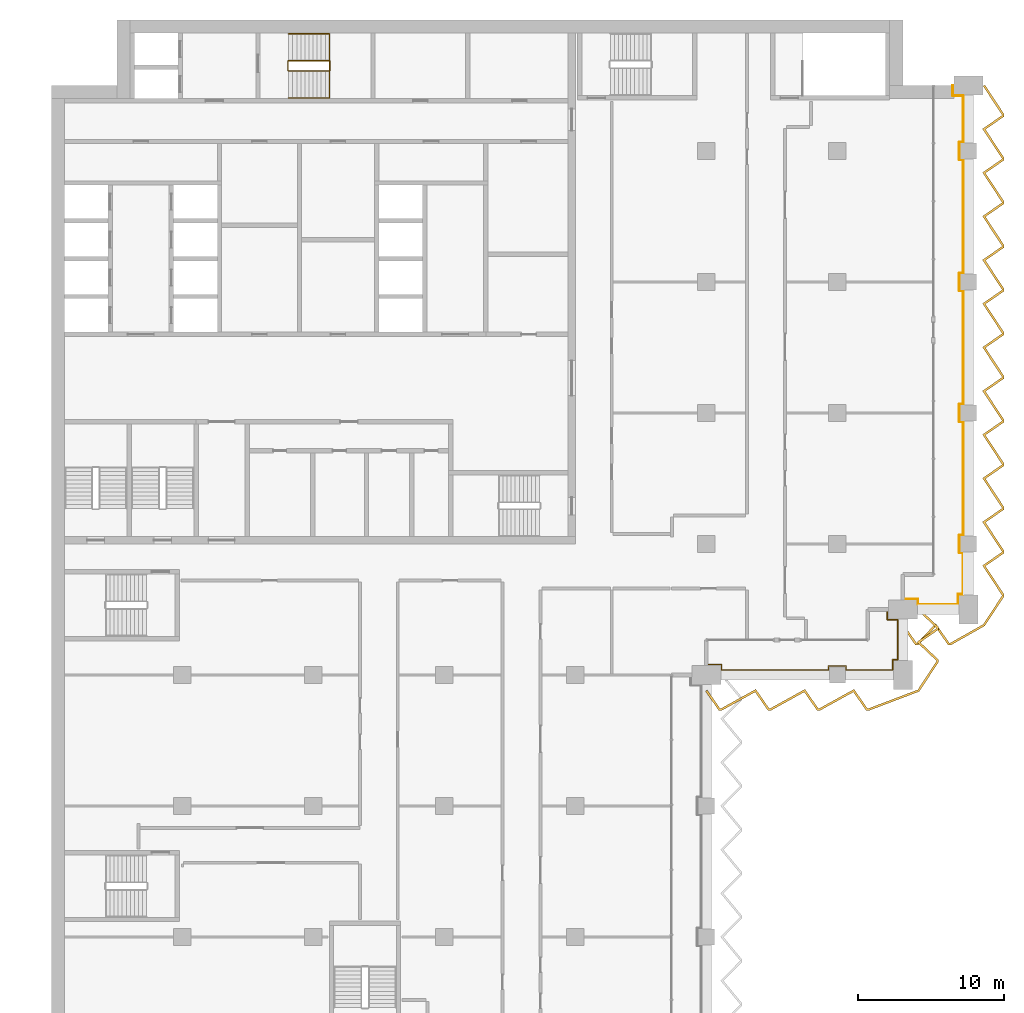
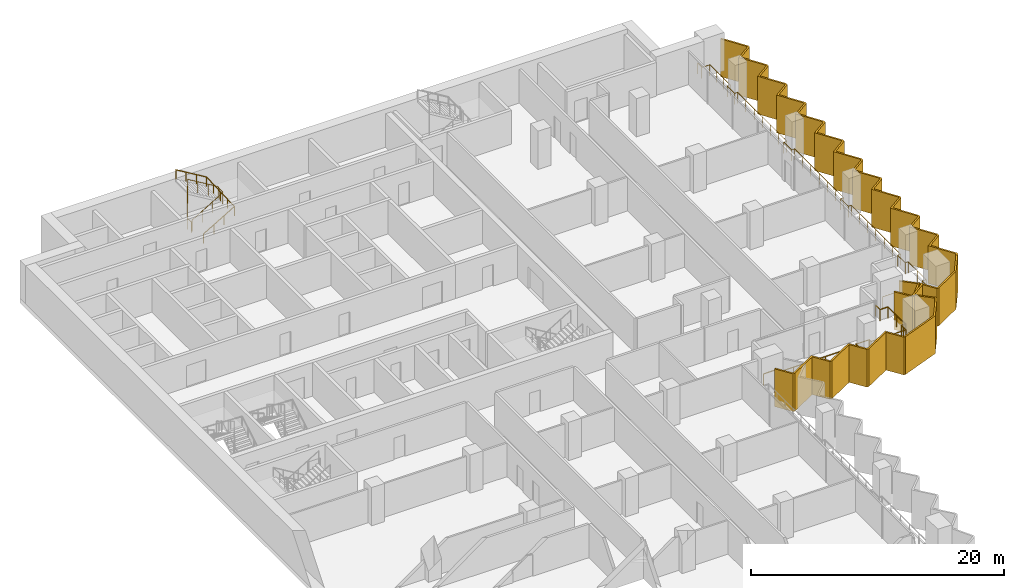
# One storey, part 21 of 22: 4 railings, 2 shading devices.
"""IFC4 building model written with IfcOpenShell, lengths in metres."""

from ifc_helpers import new_model, si_unit, direction, frame, origin, origin_2d, place, context, subcontext, project, spatial, polyline, circle, outline, extrude, material, layer, layer_set, type_object, element, save


model = new_model("IFC4")

# Units and contexts
model_context = context("Model", 3, precision=1e-05, world=origin(), true_north=direction((0.0, 1.0)))
body_context = subcontext(model_context, "Body", "Model", "MODEL_VIEW")
ifc_project = project(units=[si_unit("LENGTHUNIT", "METRE"), si_unit("AREAUNIT", "SQUARE_METRE"), si_unit("VOLUMEUNIT", "CUBIC_METRE"), si_unit("PLANEANGLEUNIT", "RADIAN"), si_unit("MASSUNIT", "GRAM", prefix="KILO")], contexts=[model_context])

# Site, building, storey
site_placement = place(None, origin())
site = spatial("IfcSite", under=ifc_project, at=site_placement, CompositionType="ELEMENT")
building_placement = place(site_placement, origin())
building = spatial("IfcBuilding", under=site, at=building_placement, Name="Hunhe Ridgeline Campus", CompositionType="ELEMENT")
storey_placement = place(building_placement, frame((0.0, 0.0, 174.5)))
storey = spatial("IfcBuildingStorey", under=building, at=storey_placement, Name="L44", CompositionType="ELEMENT", Elevation=174.5)

# Railings
ifc_material_1 = material(Name="Steel Q355", Category="steel")
railing_type_1 = type_object("IfcRailingType", Name="Loggia guard 1100 Steel Q355", PredefinedType="GUARDRAIL", material=ifc_material_1)
railing_1_placement = place(storey_placement, frame((45.0, 54.719970703125, 0.0)))
element("IfcRailing", 1, at=railing_1_placement, inside=storey, type_object=railing_type_1, Name="Loggia guard 2", PredefinedType="GUARDRAIL", context=body_context, shape_type="SweptSolid", body=[
    extrude(circle(Radius=0.02392578125, at=origin_2d()), frame((0.0, 0.0, 1.076171875), z_axis=(1.0, 0.0, 0.0), x_axis=(0.0, 1.0, 0.0)), (0.0, 0.0, 1.0), 1.050048828125),
    extrude(circle(Radius=0.02392578125, at=origin_2d()), frame((1.050048828125, 0.0, 1.076171875), z_axis=(0.0, -1.0, 0.0), x_axis=(1.0, 0.0, 0.0)), (0.0, 0.0, 1.0), 0.369873046875),
    extrude(circle(Radius=0.02392578125, at=origin_2d()), frame((1.050048828125, -0.369873046875, 1.076171875), z_axis=(1.0, 0.0, 0.0), x_axis=(0.0, 1.0, 0.0)), (0.0, 0.0, 1.0), 7.349853515625),
    extrude(circle(Radius=0.02392578125, at=origin_2d()), frame((8.39990234375, -0.369873046875, 1.076171875), z_axis=(0.0, 1.0, 0.0), x_axis=(-1.0, 0.0, 0.0)), (0.0, 0.0, 1.0), 0.27001953125),
    extrude(circle(Radius=0.02392578125, at=origin_2d()), frame((8.39990234375, -0.099853515625, 1.076171875), z_axis=(1.0, 0.0, 0.0), x_axis=(0.0, 1.0, 0.0)), (0.0, 0.0, 1.0), 1.2001953125),
    extrude(circle(Radius=0.02392578125, at=origin_2d()), frame((9.60009765625, -0.099853515625, 1.076171875), z_axis=(0.0, -1.0, 0.0), x_axis=(1.0, 0.0, 0.0)), (0.0, 0.0, 1.0), 0.27001953125),
    extrude(circle(Radius=0.02392578125, at=origin_2d()), frame((9.60009765625, -0.369873046875, 1.076171875), z_axis=(1.0, 0.0, 0.0), x_axis=(0.0, 1.0, 0.0)), (0.0, 0.0, 1.0), 3.199951171875),
    extrude(circle(Radius=0.02392578125, at=origin_2d()), frame((12.800048828125, -0.369873046875, 1.076171875), z_axis=(0.0, 1.0, 0.0), x_axis=(-1.0, 0.0, 0.0)), (0.0, 0.0, 1.0), 0.719970703125),
    extrude(circle(Radius=0.02392578125, at=origin_2d()), frame((12.800048828125, 0.35009765625, 1.076171875), z_axis=(-0.057089444596, -0.998369067688, 0.0), x_axis=(0.998369067688, -0.057089444596, 0.0)), (0.0, 0.0, 1.0), 0.3505859375),
    extrude(circle(Radius=0.02392578125, at=origin_2d()), frame((12.780029296875, 0.0, 1.076171875), z_axis=(0.0, 1.0, 0.0), x_axis=(-1.0, 0.0, 0.0)), (0.0, 0.0, 1.0), 0.330078125),
    extrude(circle(Radius=0.02392578125, at=origin_2d()), frame((12.780029296875, 0.330078125, 1.076171875), z_axis=(1.0, 0.0, 0.0), x_axis=(0.0, 1.0, 0.0)), (0.0, 0.0, 1.0), 0.369873046875),
    extrude(circle(Radius=0.02392578125, at=origin_2d()), frame((13.14990234375, 0.330078125, 1.076171875), z_axis=(0.0, 1.0, 0.0), x_axis=(-1.0, 0.0, 0.0)), (0.0, 0.0, 1.0), 2.75),
    extrude(circle(Radius=0.02392578125, at=origin_2d()), frame((13.14990234375, 3.080078125, 1.076171875), z_axis=(-1.0, 0.0, 0.0), x_axis=(0.0, -1.0, 0.0)), (0.0, 0.0, 1.0), 0.719970703125),
    extrude(circle(Radius=0.02392578125, at=origin_2d()), frame((12.429931640625, 3.080078125, 1.076171875), z_axis=(0.0, 1.0, 0.0), x_axis=(-1.0, 0.0, 0.0)), (0.0, 0.0, 1.0), 0.699951171875),
    extrude(circle(Radius=0.02099609375, at=origin_2d()), origin(), (0.0, 0.0, 1.0), 1.052001953125),
    extrude(circle(Radius=0.02099609375, at=origin_2d()), frame((1.050048828125, 0.0, 0.0)), (0.0, 0.0, 1.0), 1.052001953125),
    extrude(circle(Radius=0.02099609375, at=origin_2d()), frame((1.050048828125, -0.369873046875, 0.0)), (0.0, 0.0, 1.0), 1.052001953125),
    extrude(circle(Radius=0.02099609375, at=origin_2d()), frame((2.52001953125, -0.369873046875, 0.0)), (0.0, 0.0, 1.0), 1.052001953125),
    extrude(circle(Radius=0.02099609375, at=origin_2d()), frame((3.989990234375, -0.369873046875, 0.0)), (0.0, 0.0, 1.0), 1.052001953125),
    extrude(circle(Radius=0.02099609375, at=origin_2d()), frame((5.4599609375, -0.369873046875, 0.0)), (0.0, 0.0, 1.0), 1.052001953125),
    extrude(circle(Radius=0.02099609375, at=origin_2d()), frame((6.929931640625, -0.369873046875, 0.0)), (0.0, 0.0, 1.0), 1.052001953125),
    extrude(circle(Radius=0.02099609375, at=origin_2d()), frame((8.39990234375, -0.369873046875, 0.0)), (0.0, 0.0, 1.0), 1.052001953125),
    extrude(circle(Radius=0.02099609375, at=origin_2d()), frame((8.39990234375, -0.099853515625, 0.0)), (0.0, 0.0, 1.0), 1.052001953125),
    extrude(circle(Radius=0.02099609375, at=origin_2d()), frame((9.60009765625, -0.099853515625, 0.0)), (0.0, 0.0, 1.0), 1.052001953125),
    extrude(circle(Radius=0.02099609375, at=origin_2d()), frame((9.60009765625, -0.369873046875, 0.0)), (0.0, 0.0, 1.0), 1.052001953125),
    extrude(circle(Radius=0.02099609375, at=origin_2d()), frame((10.666748046875, -0.369873046875, 0.0)), (0.0, 0.0, 1.0), 1.052001953125),
    extrude(circle(Radius=0.02099609375, at=origin_2d()), frame((11.7333984375, -0.369873046875, 0.0)), (0.0, 0.0, 1.0), 1.052001953125),
    extrude(circle(Radius=0.02099609375, at=origin_2d()), frame((12.800048828125, -0.369873046875, 0.0)), (0.0, 0.0, 1.0), 1.052001953125),
    extrude(circle(Radius=0.02099609375, at=origin_2d()), frame((12.800048828125, 0.35009765625, 0.0)), (0.0, 0.0, 1.0), 1.052001953125),
    extrude(circle(Radius=0.02099609375, at=origin_2d()), frame((12.780029296875, 0.0, 0.0)), (0.0, 0.0, 1.0), 1.052001953125),
    extrude(circle(Radius=0.02099609375, at=origin_2d()), frame((12.780029296875, 0.330078125, 0.0)), (0.0, 0.0, 1.0), 1.052001953125),
    extrude(circle(Radius=0.02099609375, at=origin_2d()), frame((13.14990234375, 0.330078125, 0.0)), (0.0, 0.0, 1.0), 1.052001953125),
    extrude(circle(Radius=0.02099609375, at=origin_2d()), frame((13.14990234375, 1.705078125, 0.0)), (0.0, 0.0, 1.0), 1.052001953125),
    extrude(circle(Radius=0.02099609375, at=origin_2d()), frame((13.14990234375, 3.080078125, 0.0)), (0.0, 0.0, 1.0), 1.052001953125),
    extrude(circle(Radius=0.02099609375, at=origin_2d()), frame((12.429931640625, 3.080078125, 0.0)), (0.0, 0.0, 1.0), 1.052001953125),
    extrude(circle(Radius=0.02099609375, at=origin_2d()), frame((12.429931640625, 3.780029296875, 0.0)), (0.0, 0.0, 1.0), 1.052001953125),
])
railing_2_placement = place(storey_placement, frame((58.5, 59.219970703125, 0.0)))
element("IfcRailing", 2, at=railing_2_placement, inside=storey, type_object=railing_type_1, Name="Loggia guard 3", PredefinedType="GUARDRAIL", context=body_context, shape_type="SweptSolid", body=[
    extrude(circle(Radius=0.02392578125, at=origin_2d()), frame((0.0, 0.0, 1.076171875), z_axis=(1.0, 0.0, 0.0), x_axis=(0.0, 1.0, 0.0)), (0.0, 0.0, 1.0), 1.050048828125),
    extrude(circle(Radius=0.02392578125, at=origin_2d()), frame((1.050048828125, 0.0, 1.076171875), z_axis=(0.0, -1.0, 0.0), x_axis=(1.0, 0.0, 0.0)), (0.0, 0.0, 1.0), 0.369873046875),
    extrude(circle(Radius=0.02392578125, at=origin_2d()), frame((1.050048828125, -0.369873046875, 1.076171875), z_axis=(1.0, 0.0, 0.0), x_axis=(0.0, 1.0, 0.0)), (0.0, 0.0, 1.0), 2.75),
    extrude(circle(Radius=0.02392578125, at=origin_2d()), frame((3.800048828125, -0.369873046875, 1.076171875), z_axis=(0.0, 1.0, 0.0), x_axis=(-1.0, 0.0, 0.0)), (0.0, 0.0, 1.0), 0.719970703125),
    extrude(circle(Radius=0.02392578125, at=origin_2d()), frame((3.800048828125, 0.35009765625, 1.076171875), z_axis=(-0.057089444596, -0.998369067688, 0.0), x_axis=(0.998369067688, -0.057089444596, 0.0)), (0.0, 0.0, 1.0), 0.3505859375),
    extrude(circle(Radius=0.02392578125, at=origin_2d()), frame((3.780029296875, 0.0, 1.076171875), z_axis=(0.0, 1.0, 0.0), x_axis=(-1.0, 0.0, 0.0)), (0.0, 0.0, 1.0), 0.330078125),
    extrude(circle(Radius=0.02392578125, at=origin_2d()), frame((3.780029296875, 0.330078125, 1.076171875), z_axis=(1.0, 0.0, 0.0), x_axis=(0.0, 1.0, 0.0)), (0.0, 0.0, 1.0), 0.369873046875),
    extrude(circle(Radius=0.02392578125, at=origin_2d()), frame((4.14990234375, 0.330078125, 1.076171875), z_axis=(0.0, 1.0, 0.0), x_axis=(-1.0, 0.0, 0.0)), (0.0, 0.0, 1.0), 2.849853515625),
    extrude(circle(Radius=0.02392578125, at=origin_2d()), frame((4.14990234375, 3.179931640625, 1.076171875), z_axis=(-1.0, 0.0, 0.0), x_axis=(0.0, -1.0, 0.0)), (0.0, 0.0, 1.0), 0.27001953125),
    extrude(circle(Radius=0.02392578125, at=origin_2d()), frame((3.8798828125, 3.179931640625, 1.076171875), z_axis=(0.0, 1.0, 0.0), x_axis=(-1.0, 0.0, 0.0)), (0.0, 0.0, 1.0), 1.2001953125),
    extrude(circle(Radius=0.02392578125, at=origin_2d()), frame((3.8798828125, 4.380126953125, 1.076171875), z_axis=(1.0, 0.0, 0.0), x_axis=(0.0, 1.0, 0.0)), (0.0, 0.0, 1.0), 0.27001953125),
    extrude(circle(Radius=0.02392578125, at=origin_2d()), frame((4.14990234375, 4.380126953125, 1.076171875), z_axis=(0.0, 1.0, 0.0), x_axis=(-1.0, 0.0, 0.0)), (0.0, 0.0, 1.0), 7.7998046875),
    extrude(circle(Radius=0.02392578125, at=origin_2d()), frame((4.14990234375, 12.179931640625, 1.076171875), z_axis=(-1.0, 0.0, 0.0), x_axis=(0.0, -1.0, 0.0)), (0.0, 0.0, 1.0), 0.27001953125),
    extrude(circle(Radius=0.02392578125, at=origin_2d()), frame((3.8798828125, 12.179931640625, 1.076171875), z_axis=(0.0, 1.0, 0.0), x_axis=(-1.0, 0.0, 0.0)), (0.0, 0.0, 1.0), 1.2001953125),
    extrude(circle(Radius=0.02392578125, at=origin_2d()), frame((3.8798828125, 13.380126953125, 1.076171875), z_axis=(1.0, 0.0, 0.0), x_axis=(0.0, 1.0, 0.0)), (0.0, 0.0, 1.0), 0.27001953125),
    extrude(circle(Radius=0.02392578125, at=origin_2d()), frame((4.14990234375, 13.380126953125, 1.076171875), z_axis=(0.0, 1.0, 0.0), x_axis=(-1.0, 0.0, 0.0)), (0.0, 0.0, 1.0), 7.7998046875),
    extrude(circle(Radius=0.02392578125, at=origin_2d()), frame((4.14990234375, 21.179931640625, 1.076171875), z_axis=(-1.0, 0.0, 0.0), x_axis=(0.0, -1.0, 0.0)), (0.0, 0.0, 1.0), 0.27001953125),
    extrude(circle(Radius=0.02392578125, at=origin_2d()), frame((3.8798828125, 21.179931640625, 1.076171875), z_axis=(0.0, 1.0, 0.0), x_axis=(-1.0, 0.0, 0.0)), (0.0, 0.0, 1.0), 1.2001953125),
    extrude(circle(Radius=0.02392578125, at=origin_2d()), frame((3.8798828125, 22.380126953125, 1.076171875), z_axis=(1.0, 0.0, 0.0), x_axis=(0.0, 1.0, 0.0)), (0.0, 0.0, 1.0), 0.27001953125),
    extrude(circle(Radius=0.02392578125, at=origin_2d()), frame((4.14990234375, 22.380126953125, 1.076171875), z_axis=(0.0, 1.0, 0.0), x_axis=(-1.0, 0.0, 0.0)), (0.0, 0.0, 1.0), 7.7998046875),
    extrude(circle(Radius=0.02392578125, at=origin_2d()), frame((4.14990234375, 30.179931640625, 1.076171875), z_axis=(-1.0, 0.0, 0.0), x_axis=(0.0, -1.0, 0.0)), (0.0, 0.0, 1.0), 0.27001953125),
    extrude(circle(Radius=0.02392578125, at=origin_2d()), frame((3.8798828125, 30.179931640625, 1.076171875), z_axis=(0.0, 1.0, 0.0), x_axis=(-1.0, 0.0, 0.0)), (0.0, 0.0, 1.0), 1.2001953125),
    extrude(circle(Radius=0.02392578125, at=origin_2d()), frame((3.8798828125, 31.380126953125, 1.076171875), z_axis=(1.0, 0.0, 0.0), x_axis=(0.0, 1.0, 0.0)), (0.0, 0.0, 1.0), 0.27001953125),
    extrude(circle(Radius=0.02392578125, at=origin_2d()), frame((4.14990234375, 31.380126953125, 1.076171875), z_axis=(0.0, 1.0, 0.0), x_axis=(-1.0, 0.0, 0.0)), (0.0, 0.0, 1.0), 3.199951171875),
    extrude(circle(Radius=0.02392578125, at=origin_2d()), frame((4.14990234375, 34.580078125, 1.076171875), z_axis=(-1.0, 0.0, 0.0), x_axis=(0.0, -1.0, 0.0)), (0.0, 0.0, 1.0), 0.719970703125),
    extrude(circle(Radius=0.02392578125, at=origin_2d()), frame((3.429931640625, 34.580078125, 1.076171875), z_axis=(0.0, 1.0, 0.0), x_axis=(-1.0, 0.0, 0.0)), (0.0, 0.0, 1.0), 0.699951171875),
    extrude(circle(Radius=0.02099609375, at=origin_2d()), origin(), (0.0, 0.0, 1.0), 1.052001953125),
    extrude(circle(Radius=0.02099609375, at=origin_2d()), frame((1.050048828125, 0.0, 0.0)), (0.0, 0.0, 1.0), 1.052001953125),
    extrude(circle(Radius=0.02099609375, at=origin_2d()), frame((1.050048828125, -0.369873046875, 0.0)), (0.0, 0.0, 1.0), 1.052001953125),
    extrude(circle(Radius=0.02099609375, at=origin_2d()), frame((2.425048828125, -0.369873046875, 0.0)), (0.0, 0.0, 1.0), 1.052001953125),
    extrude(circle(Radius=0.02099609375, at=origin_2d()), frame((3.800048828125, -0.369873046875, 0.0)), (0.0, 0.0, 1.0), 1.052001953125),
    extrude(circle(Radius=0.02099609375, at=origin_2d()), frame((3.800048828125, 0.35009765625, 0.0)), (0.0, 0.0, 1.0), 1.052001953125),
    extrude(circle(Radius=0.02099609375, at=origin_2d()), frame((3.780029296875, 0.0, 0.0)), (0.0, 0.0, 1.0), 1.052001953125),
    extrude(circle(Radius=0.02099609375, at=origin_2d()), frame((3.780029296875, 0.330078125, 0.0)), (0.0, 0.0, 1.0), 1.052001953125),
    extrude(circle(Radius=0.02099609375, at=origin_2d()), frame((4.14990234375, 0.330078125, 0.0)), (0.0, 0.0, 1.0), 1.052001953125),
    extrude(circle(Radius=0.02099609375, at=origin_2d()), frame((4.14990234375, 1.7548828125, 0.0)), (0.0, 0.0, 1.0), 1.052001953125),
    extrude(circle(Radius=0.02099609375, at=origin_2d()), frame((4.14990234375, 3.179931640625, 0.0)), (0.0, 0.0, 1.0), 1.052001953125),
    extrude(circle(Radius=0.02099609375, at=origin_2d()), frame((3.8798828125, 3.179931640625, 0.0)), (0.0, 0.0, 1.0), 1.052001953125),
    extrude(circle(Radius=0.02099609375, at=origin_2d()), frame((3.8798828125, 4.380126953125, 0.0)), (0.0, 0.0, 1.0), 1.052001953125),
    extrude(circle(Radius=0.02099609375, at=origin_2d()), frame((4.14990234375, 4.380126953125, 0.0)), (0.0, 0.0, 1.0), 1.052001953125),
    extrude(circle(Radius=0.02099609375, at=origin_2d()), frame((4.14990234375, 5.68017578125, 0.0)), (0.0, 0.0, 1.0), 1.052001953125),
    extrude(circle(Radius=0.02099609375, at=origin_2d()), frame((4.14990234375, 6.97998046875, 0.0)), (0.0, 0.0, 1.0), 1.052001953125),
    extrude(circle(Radius=0.02099609375, at=origin_2d()), frame((4.14990234375, 8.280029296875, 0.0)), (0.0, 0.0, 1.0), 1.052001953125),
    extrude(circle(Radius=0.02099609375, at=origin_2d()), frame((4.14990234375, 9.580078125, 0.0)), (0.0, 0.0, 1.0), 1.052001953125),
    extrude(circle(Radius=0.02099609375, at=origin_2d()), frame((4.14990234375, 10.8798828125, 0.0)), (0.0, 0.0, 1.0), 1.052001953125),
    extrude(circle(Radius=0.02099609375, at=origin_2d()), frame((4.14990234375, 12.179931640625, 0.0)), (0.0, 0.0, 1.0), 1.052001953125),
    extrude(circle(Radius=0.02099609375, at=origin_2d()), frame((3.8798828125, 12.179931640625, 0.0)), (0.0, 0.0, 1.0), 1.052001953125),
    extrude(circle(Radius=0.02099609375, at=origin_2d()), frame((3.8798828125, 13.380126953125, 0.0)), (0.0, 0.0, 1.0), 1.052001953125),
    extrude(circle(Radius=0.02099609375, at=origin_2d()), frame((4.14990234375, 13.380126953125, 0.0)), (0.0, 0.0, 1.0), 1.052001953125),
    extrude(circle(Radius=0.02099609375, at=origin_2d()), frame((4.14990234375, 14.68017578125, 0.0)), (0.0, 0.0, 1.0), 1.052001953125),
    extrude(circle(Radius=0.02099609375, at=origin_2d()), frame((4.14990234375, 15.97998046875, 0.0)), (0.0, 0.0, 1.0), 1.052001953125),
    extrude(circle(Radius=0.02099609375, at=origin_2d()), frame((4.14990234375, 17.280029296875, 0.0)), (0.0, 0.0, 1.0), 1.052001953125),
    extrude(circle(Radius=0.02099609375, at=origin_2d()), frame((4.14990234375, 18.580078125, 0.0)), (0.0, 0.0, 1.0), 1.052001953125),
    extrude(circle(Radius=0.02099609375, at=origin_2d()), frame((4.14990234375, 19.8798828125, 0.0)), (0.0, 0.0, 1.0), 1.052001953125),
    extrude(circle(Radius=0.02099609375, at=origin_2d()), frame((4.14990234375, 21.179931640625, 0.0)), (0.0, 0.0, 1.0), 1.052001953125),
    extrude(circle(Radius=0.02099609375, at=origin_2d()), frame((3.8798828125, 21.179931640625, 0.0)), (0.0, 0.0, 1.0), 1.052001953125),
    extrude(circle(Radius=0.02099609375, at=origin_2d()), frame((3.8798828125, 22.380126953125, 0.0)), (0.0, 0.0, 1.0), 1.052001953125),
    extrude(circle(Radius=0.02099609375, at=origin_2d()), frame((4.14990234375, 22.380126953125, 0.0)), (0.0, 0.0, 1.0), 1.052001953125),
    extrude(circle(Radius=0.02099609375, at=origin_2d()), frame((4.14990234375, 23.68017578125, 0.0)), (0.0, 0.0, 1.0), 1.052001953125),
    extrude(circle(Radius=0.02099609375, at=origin_2d()), frame((4.14990234375, 24.97998046875, 0.0)), (0.0, 0.0, 1.0), 1.052001953125),
    extrude(circle(Radius=0.02099609375, at=origin_2d()), frame((4.14990234375, 26.280029296875, 0.0)), (0.0, 0.0, 1.0), 1.052001953125),
    extrude(circle(Radius=0.02099609375, at=origin_2d()), frame((4.14990234375, 27.580078125, 0.0)), (0.0, 0.0, 1.0), 1.052001953125),
    extrude(circle(Radius=0.02099609375, at=origin_2d()), frame((4.14990234375, 28.8798828125, 0.0)), (0.0, 0.0, 1.0), 1.052001953125),
    extrude(circle(Radius=0.02099609375, at=origin_2d()), frame((4.14990234375, 30.179931640625, 0.0)), (0.0, 0.0, 1.0), 1.052001953125),
    extrude(circle(Radius=0.02099609375, at=origin_2d()), frame((3.8798828125, 30.179931640625, 0.0)), (0.0, 0.0, 1.0), 1.052001953125),
    extrude(circle(Radius=0.02099609375, at=origin_2d()), frame((3.8798828125, 31.380126953125, 0.0)), (0.0, 0.0, 1.0), 1.052001953125),
    extrude(circle(Radius=0.02099609375, at=origin_2d()), frame((4.14990234375, 31.380126953125, 0.0)), (0.0, 0.0, 1.0), 1.052001953125),
    extrude(circle(Radius=0.02099609375, at=origin_2d()), frame((4.14990234375, 32.44677734375, 0.0)), (0.0, 0.0, 1.0), 1.052001953125),
    extrude(circle(Radius=0.02099609375, at=origin_2d()), frame((4.14990234375, 33.513427734375, 0.0)), (0.0, 0.0, 1.0), 1.052001953125),
    extrude(circle(Radius=0.02099609375, at=origin_2d()), frame((4.14990234375, 34.580078125, 0.0)), (0.0, 0.0, 1.0), 1.052001953125),
    extrude(circle(Radius=0.02099609375, at=origin_2d()), frame((3.429931640625, 34.580078125, 0.0)), (0.0, 0.0, 1.0), 1.052001953125),
    extrude(circle(Radius=0.02099609375, at=origin_2d()), frame((3.429931640625, 35.280029296875, 0.0)), (0.0, 0.0, 1.0), 1.052001953125),
])

# Shading devices
ifc_material_2 = material(Name="Concrete C50", Category="concrete")
ifc_layer = layer(ifc_material_2, 0.14990234375)
ifc_layer_set = layer_set([ifc_layer], Name="Sawtooth concrete fin 150 Concrete C50")
shading_device_type = type_object("IfcShadingDeviceType", Name="Sawtooth concrete fin 150 Concrete C50", PredefinedType="USERDEFINED", material=ifc_layer_set)
shading_device_1_placement = place(storey_placement, frame((0.0, 0.0, -0.949951171875)))
element("IfcShadingDevice", 3, at=shading_device_1_placement, inside=storey, type_object=shading_device_type, Name="Concrete fin screen 2", ObjectType="FIN", PredefinedType="USERDEFINED", context=body_context, shape_type="SweptSolid", body=[
    extrude(outline(polyline([(45.0615234375, 52.9677734375), (44.9384765625, 52.88232421875), (45.863525390625, 51.550048828125), (46.0419921875, 51.550048828125), (48.35205078125, 52.82666015625), (49.238525390625, 51.550048828125), (49.4169921875, 51.550048828125), (51.72705078125, 52.82666015625), (52.613525390625, 51.550048828125), (52.7919921875, 51.550048828125), (55.10205078125, 52.82666015625), (55.988525390625, 51.550048828125), (56.161376953125, 51.550048828125), (59.624267578125, 52.863525390625), (60.949951171875, 54.880126953125), (60.949951171875, 55.054931640625), (59.693603515625, 56.2412109375), (60.949951171875, 57.113525390625), (60.949951171875, 57.304931640625), (59.62646484375, 58.554443359375), (59.5234375, 58.445556640625), (60.800048828125, 57.240234375), (60.800048828125, 57.19189453125), (59.456298828125, 56.2587890625), (60.800048828125, 54.990234375), (60.800048828125, 54.925048828125), (59.525634765625, 52.986572265625), (56.134033203125, 51.699951171875), (56.06689453125, 51.699951171875), (55.14794921875, 53.0234375), (52.75341796875, 51.699951171875), (52.69189453125, 51.699951171875), (51.77294921875, 53.0234375), (49.37841796875, 51.699951171875), (49.31689453125, 51.699951171875), (48.39794921875, 53.0234375), (46.00341796875, 51.699951171875), (45.94189453125, 51.699951171875), (45.0615234375, 52.9677734375)])), origin(), (0.0, 0.0, 1.0), 3.64990234375),
])
shading_device_2_placement = place(storey_placement, frame((0.0, 0.0, -0.949951171875)))
element("IfcShadingDevice", 4, at=shading_device_2_placement, inside=storey, type_object=shading_device_type, Name="Concrete fin screen 3", ObjectType="FIN", PredefinedType="USERDEFINED", context=body_context, shape_type="SweptSolid", body=[
    extrude(outline(polyline([(58.5615234375, 57.4677734375), (58.4384765625, 57.38232421875), (59.363525390625, 56.050048828125), (59.554931640625, 56.050048828125), (60.7412109375, 57.306396484375), (61.613525390625, 56.050048828125), (61.79248046875, 56.050048828125), (64.127685546875, 57.36865234375), (65.449951171875, 59.380126953125), (65.449951171875, 59.545166015625), (64.177734375, 61.47998046875), (65.449951171875, 62.363525390625), (65.449951171875, 62.545166015625), (64.177734375, 64.47998046875), (65.449951171875, 65.363525390625), (65.449951171875, 65.545166015625), (64.177734375, 67.47998046875), (65.449951171875, 68.363525390625), (65.449951171875, 68.545166015625), (64.177734375, 70.47998046875), (65.449951171875, 71.363525390625), (65.449951171875, 71.545166015625), (64.177734375, 73.47998046875), (65.449951171875, 74.363525390625), (65.449951171875, 74.545166015625), (64.177734375, 76.47998046875), (65.449951171875, 77.363525390625), (65.449951171875, 77.545166015625), (64.177734375, 79.47998046875), (65.449951171875, 80.363525390625), (65.449951171875, 80.545166015625), (64.177734375, 82.47998046875), (65.449951171875, 83.363525390625), (65.449951171875, 83.545166015625), (64.177734375, 85.47998046875), (65.449951171875, 86.363525390625), (65.449951171875, 86.545166015625), (64.177734375, 88.47998046875), (65.449951171875, 89.363525390625), (65.449951171875, 89.545166015625), (64.177734375, 91.47998046875), (65.449951171875, 92.363525390625), (65.449951171875, 92.545166015625), (64.1376953125, 94.541259765625), (64.012451171875, 94.458740234375), (65.300048828125, 92.500244140625), (65.300048828125, 92.44189453125), (63.97216796875, 91.52001953125), (65.300048828125, 89.500244140625), (65.300048828125, 89.44189453125), (63.97216796875, 88.52001953125), (65.300048828125, 86.500244140625), (65.300048828125, 86.44189453125), (63.97216796875, 85.52001953125), (65.300048828125, 83.500244140625), (65.300048828125, 83.44189453125), (63.97216796875, 82.52001953125), (65.300048828125, 80.500244140625), (65.300048828125, 80.44189453125), (63.97216796875, 79.52001953125), (65.300048828125, 77.500244140625), (65.300048828125, 77.44189453125), (63.97216796875, 76.52001953125), (65.300048828125, 74.500244140625), (65.300048828125, 74.44189453125), (63.97216796875, 73.52001953125), (65.300048828125, 71.500244140625), (65.300048828125, 71.44189453125), (63.97216796875, 70.52001953125), (65.300048828125, 68.500244140625), (65.300048828125, 68.44189453125), (63.97216796875, 67.52001953125), (65.300048828125, 65.500244140625), (65.300048828125, 65.44189453125), (63.97216796875, 64.52001953125), (65.300048828125, 62.500244140625), (65.300048828125, 62.44189453125), (63.97216796875, 61.52001953125), (65.300048828125, 59.500244140625), (65.300048828125, 59.425048828125), (64.022216796875, 57.4814453125), (61.7529296875, 56.199951171875), (61.69189453125, 56.199951171875), (60.7587890625, 57.543701171875), (59.490234375, 56.199951171875), (59.44189453125, 56.199951171875), (58.5615234375, 57.4677734375)])), origin(), (0.0, 0.0, 1.0), 3.64990234375),
])

# Railings
ifc_material_3 = material(Name="Stainless steel balustrade", Category="steel")
railing_type_2 = type_object("IfcRailingType", Name="Stair guard 1100 stainless", PredefinedType="GUARDRAIL", material=ifc_material_3)
railing_3_placement = place(storey_placement, frame((16.300048828125, 95.5, 0.168212890625)))
element("IfcRailing", 5, at=railing_3_placement, inside=storey, type_object=railing_type_2, Name="L44 stair S1 guard", PredefinedType="GUARDRAIL", context=body_context, shape_type="SweptSolid", body=[
    extrude(circle(Radius=0.02392578125, at=origin_2d()), frame((0.0, 0.0, 1.076171875), z_axis=(0.857242210791, 0.0, 0.514913383045), x_axis=(0.0, 1.0, 0.0)), (0.0, 0.0, 1.0), 3.266357421875),
    extrude(circle(Radius=0.02392578125, at=origin_2d()), frame((2.800048828125, 0.0, 2.7578125), z_axis=(0.705375805398, 0.708833529934, 0.0), x_axis=(-0.708833529934, 0.705375805398, 0.0)), (0.0, 0.0, 1.0), 0.070556640625),
    extrude(circle(Radius=0.02392578125, at=origin_2d()), frame((2.849853515625, 0.050048828125, 2.7578125), z_axis=(0.0, 1.0, 0.0), x_axis=(-1.0, 0.0, 0.0)), (0.0, 0.0, 1.0), 0.599853515625),
    extrude(circle(Radius=0.02392578125, at=origin_2d()), frame((2.849853515625, 0.64990234375, 2.7578125), z_axis=(-0.273343290215, 0.274683208305, 0.921863645432), x_axis=(-0.708833529934, -0.705375805398, 0.0)), (0.0, 0.0, 1.0), 0.18212890625),
    extrude(circle(Radius=0.02392578125, at=origin_2d()), frame((2.800048828125, 0.699951171875, 2.92578125), z_axis=(-0.857242210791, 0.0, 0.514913383045), x_axis=(0.0, -1.0, 0.0)), (0.0, 0.0, 1.0), 3.266357421875),
    extrude(circle(Radius=0.02392578125, at=origin_2d()), frame((0.0, 0.699951171875, 4.60791015625), z_axis=(-0.013524414389, -0.013524414389, -0.999817073484), x_axis=(0.707106781187, -0.707106781187, 0.0)), (0.0, 0.0, 1.0), 3.70068359375),
    extrude(circle(Radius=0.02392578125, at=origin_2d()), frame((-0.050048828125, 0.64990234375, 0.90771484375), z_axis=(0.0, -1.0, 0.0), x_axis=(1.0, 0.0, 0.0)), (0.0, 0.0, 1.0), 0.599853515625),
    extrude(circle(Radius=0.02099609375, at=origin_2d()), origin(), (0.0, 0.0, 1.0), 1.052001953125),
    extrude(circle(Radius=0.02099609375, at=origin_2d()), frame((0.933349609375, 0.0, 0.560546875)), (0.0, 0.0, 1.0), 1.052001953125),
    extrude(circle(Radius=0.02099609375, at=origin_2d()), frame((1.86669921875, 0.0, 1.121337890625)), (0.0, 0.0, 1.0), 1.052001953125),
    extrude(circle(Radius=0.02099609375, at=origin_2d()), frame((2.800048828125, 0.0, 1.681884765625)), (0.0, 0.0, 1.0), 1.052001953125),
    extrude(circle(Radius=0.02099609375, at=origin_2d()), frame((2.849853515625, 0.050048828125, 1.681884765625)), (0.0, 0.0, 1.0), 1.052001953125),
    extrude(circle(Radius=0.02099609375, at=origin_2d()), frame((2.849853515625, 0.64990234375, 1.681884765625)), (0.0, 0.0, 1.0), 1.052001953125),
    extrude(circle(Radius=0.02099609375, at=origin_2d()), frame((2.800048828125, 0.699951171875, 1.849853515625)), (0.0, 0.0, 1.0), 1.052001953125),
    extrude(circle(Radius=0.02099609375, at=origin_2d()), frame((1.86669921875, 0.699951171875, 2.410400390625)), (0.0, 0.0, 1.0), 1.052001953125),
    extrude(circle(Radius=0.02099609375, at=origin_2d()), frame((0.933349609375, 0.699951171875, 2.97119140625)), (0.0, 0.0, 1.0), 1.052001953125),
    extrude(circle(Radius=0.02099609375, at=origin_2d()), frame((0.0, 0.699951171875, 3.53173828125)), (0.0, 0.0, 1.0), 1.052001953125),
    extrude(circle(Radius=0.02099609375, at=origin_2d()), frame((-0.012451171875, 0.6875, 2.606689453125)), (0.0, 0.0, 1.0), 1.052001953125),
    extrude(circle(Radius=0.02099609375, at=origin_2d()), frame((-0.02490234375, 0.6748046875, 1.681640625)), (0.0, 0.0, 1.0), 1.052001953125),
    extrude(circle(Radius=0.02099609375, at=origin_2d()), frame((-0.03759765625, 0.662353515625, 0.7568359375)), (0.0, 0.0, 1.0), 1.052001953125),
    extrude(circle(Radius=0.02099609375, at=origin_2d()), frame((-0.050048828125, 0.64990234375, -0.168212890625)), (0.0, 0.0, 1.0), 1.052001953125),
    extrude(circle(Radius=0.02099609375, at=origin_2d()), frame((-0.050048828125, 0.050048828125, -0.168212890625)), (0.0, 0.0, 1.0), 1.052001953125),
])
ifc_material_4 = material(Name="Stainless steel handrail", Category="steel")
railing_type_3 = type_object("IfcRailingType", Name="Stair handrail 900 stainless", PredefinedType="HANDRAIL", material=ifc_material_4)
railing_4_placement = place(storey_placement, frame((16.300048828125, 93.64990234375, 0.168212890625)))
element("IfcRailing", 6, at=railing_4_placement, inside=storey, type_object=railing_type_3, Name="L44 stair S1 handrail", PredefinedType="HANDRAIL", context=body_context, shape_type="SweptSolid", body=[
    extrude(circle(Radius=0.02392578125, at=origin_2d()), frame((0.0, 0.0, 0.8759765625), z_axis=(0.857242210791, 0.0, 0.514913383045), x_axis=(0.0, 1.0, 0.0)), (0.0, 0.0, 1.0), 3.266357421875),
    extrude(circle(Radius=0.02392578125, at=origin_2d()), frame((2.800048828125, 0.0, 2.5576171875), z_axis=(0.0, 0.999272189381, 0.038145662004), x_axis=(-1.0, 0.0, 0.0)), (0.0, 0.0, 1.0), 4.4033203125),
    extrude(circle(Radius=0.02392578125, at=origin_2d()), frame((2.800048828125, 4.400146484375, 2.7255859375), z_axis=(-0.857242210791, 0.0, 0.514913383045), x_axis=(0.0, -1.0, 0.0)), (0.0, 0.0, 1.0), 3.266357421875),
    extrude(circle(Radius=0.02099609375, at=origin_2d()), origin(), (0.0, 0.0, 1.0), 0.851806640625),
    extrude(circle(Radius=0.02099609375, at=origin_2d()), frame((0.933349609375, 0.0, 0.560546875)), (0.0, 0.0, 1.0), 0.851806640625),
    extrude(circle(Radius=0.02099609375, at=origin_2d()), frame((1.86669921875, 0.0, 1.121337890625)), (0.0, 0.0, 1.0), 0.851806640625),
    extrude(circle(Radius=0.02099609375, at=origin_2d()), frame((2.800048828125, 0.0, 1.681884765625)), (0.0, 0.0, 1.0), 0.851806640625),
    extrude(circle(Radius=0.02099609375, at=origin_2d()), frame((2.800048828125, 1.10009765625, 1.723876953125)), (0.0, 0.0, 1.0), 0.851806640625),
    extrude(circle(Radius=0.02099609375, at=origin_2d()), frame((2.800048828125, 2.2001953125, 1.765869140625)), (0.0, 0.0, 1.0), 0.851806640625),
    extrude(circle(Radius=0.02099609375, at=origin_2d()), frame((2.800048828125, 3.300048828125, 1.807861328125)), (0.0, 0.0, 1.0), 0.851806640625),
    extrude(circle(Radius=0.02099609375, at=origin_2d()), frame((2.800048828125, 4.400146484375, 1.849853515625)), (0.0, 0.0, 1.0), 0.851806640625),
    extrude(circle(Radius=0.02099609375, at=origin_2d()), frame((1.86669921875, 4.400146484375, 2.410400390625)), (0.0, 0.0, 1.0), 0.851806640625),
    extrude(circle(Radius=0.02099609375, at=origin_2d()), frame((0.933349609375, 4.400146484375, 2.97119140625)), (0.0, 0.0, 1.0), 0.851806640625),
    extrude(circle(Radius=0.02099609375, at=origin_2d()), frame((0.0, 4.400146484375, 3.53173828125)), (0.0, 0.0, 1.0), 0.851806640625),
])

save(model, "model.ifc")
